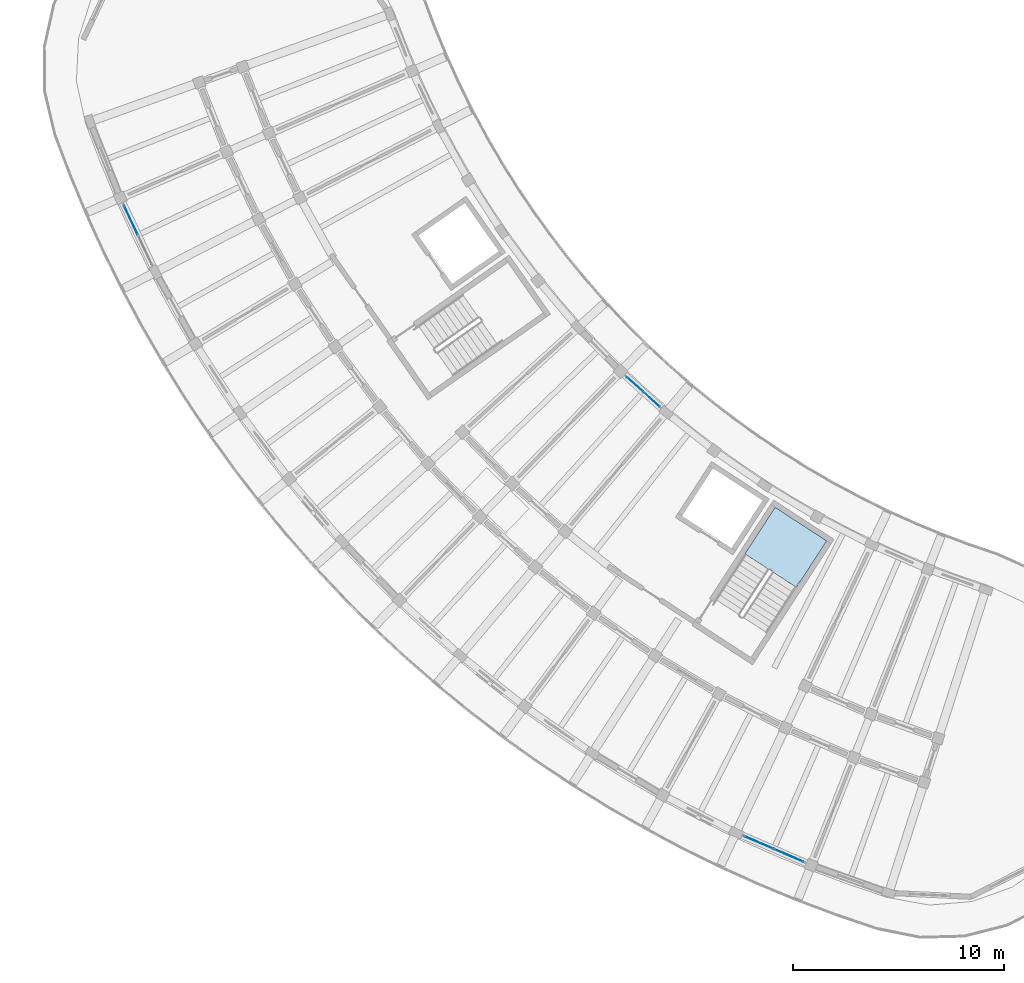
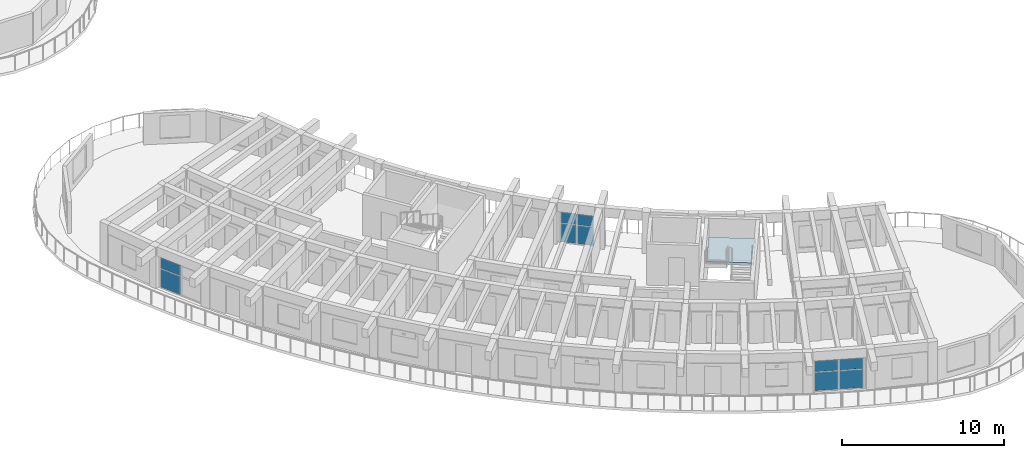
# One storey, part 33 of 83: 10 plates, 1 slab, 4 elements without a shape of their own.
"""IFC4 building model written with IfcOpenShell, lengths in metres."""

from ifc_helpers import new_model, si_unit, direction, frame, origin, origin_2d, place, context, subcontext, project, spatial, polyline, rectangle, outline, extrude, material, layer, layer_set, type_object, element, aggregate, save


model = new_model("IFC4")

# Units and contexts
model_context = context("Model", 3, precision=1e-05, world=origin(), true_north=direction((0.0, 1.0)))
body_context = subcontext(model_context, "Body", "Model", "MODEL_VIEW")
ifc_project = project(units=[si_unit("LENGTHUNIT", "METRE"), si_unit("AREAUNIT", "SQUARE_METRE"), si_unit("VOLUMEUNIT", "CUBIC_METRE"), si_unit("PLANEANGLEUNIT", "RADIAN"), si_unit("MASSUNIT", "GRAM", prefix="KILO")], contexts=[model_context])

# Site, building, storey
site_placement = place(None, origin())
site = spatial("IfcSite", under=ifc_project, at=site_placement, CompositionType="ELEMENT")
building_placement = place(site_placement, origin())
building = spatial("IfcBuilding", under=site, at=building_placement, Name="Tanwirah Colonnade Gardens", CompositionType="ELEMENT")
storey_placement = place(building_placement, frame((0.0, 0.0, 25.639892578125)))
storey = spatial("IfcBuildingStorey", under=building, at=storey_placement, Name="L07", CompositionType="ELEMENT", Elevation=25.639892578125)

# Curtain wall, plates
ifc_material_1 = material(Name="Bronze-anodised aluminium and solar-control low-E glass", Category="aluminium")
curtain_wall_type_1 = type_object("IfcCurtainWallType", Name="CW-LOB", PredefinedType="NOTDEFINED", material=ifc_material_1)
curtain_wall_1_placement = place(storey_placement, origin())
curtain_wall_1 = element("IfcCurtainWall", 1, at=curtain_wall_1_placement, inside=storey, type_object=curtain_wall_type_1, Name="Curtain Wall CW-C-L07-OUT-02", PredefinedType="NOTDEFINED")
ifc_material_2 = material(Name="Solar-control low-E double glazing", Category="glass")
ifc_layer_1 = layer(ifc_material_2, 0.028076171875)
ifc_layer_set_1 = layer_set([ifc_layer_1], Name="Solar-control low-E double glazing")
plate_type = type_object("IfcPlateType", Name="CWP-GLZ28", PredefinedType="CURTAIN_PANEL", material=ifc_layer_set_1)
plate_1_placement = place(storey_placement, frame((10.89013671875, 39.697998046875, 0.06005859375), z_axis=(0.0, 0.0, 1.0), x_axis=(0.428540128004, -0.903522749404, 0.0)))
plate_1 = element("IfcPlate", 2, at=plate_1_placement, type_object=plate_type, Name="CW-LOB panel 1.1", PredefinedType="CURTAIN_PANEL", context=body_context, shape_type="SweptSolid", body=[
    extrude(rectangle(XDim=1.49853515625, YDim=0.028076171875, at=origin_2d()), origin(), (0.0, 0.0, 1.0), 1.3701171875),
])
plate_2_placement = place(storey_placement, frame((10.89013671875, 39.697998046875, 1.490234375), z_axis=(0.0, 0.0, 1.0), x_axis=(0.428540128004, -0.903522749404, 0.0)))
plate_2 = element("IfcPlate", 3, at=plate_2_placement, type_object=plate_type, Name="CW-LOB panel 1.2", PredefinedType="CURTAIN_PANEL", context=body_context, shape_type="SweptSolid", body=[
    extrude(rectangle(XDim=1.49853515625, YDim=0.028076171875, at=origin_2d()), origin(), (0.0, 0.0, 1.0), 0.804931640625),
])
aggregate(curtain_wall_1, [plate_1, plate_2])

curtain_wall_type_2 = type_object("IfcCurtainWallType", Name="CW-GDN", PredefinedType="NOTDEFINED", material=ifc_material_1)
curtain_wall_2_placement = place(storey_placement, origin())
curtain_wall_2 = element("IfcCurtainWall", 4, at=curtain_wall_2_placement, inside=storey, type_object=curtain_wall_type_2, Name="Curtain Wall CW-C-L07-IN-08", PredefinedType="NOTDEFINED")
plate_3_placement = place(storey_placement, frame((34.806396484375, 31.90673828125, 0.06005859375), z_axis=(0.0, 0.0, 1.0), x_axis=(0.741682643058, -0.670750964954, 0.0)))
plate_3 = element("IfcPlate", 5, at=plate_3_placement, type_object=plate_type, Name="CW-GDN panel 1.1", PredefinedType="CURTAIN_PANEL", context=body_context, shape_type="SweptSolid", body=[
    extrude(rectangle(XDim=1.00439453125, YDim=0.028076171875, at=origin_2d()), origin(), (0.0, 0.0, 1.0), 1.3701171875),
])
plate_4_placement = place(storey_placement, frame((34.806396484375, 31.90673828125, 1.490234375), z_axis=(0.0, 0.0, 1.0), x_axis=(0.741682643058, -0.670750964954, 0.0)))
plate_4 = element("IfcPlate", 6, at=plate_4_placement, type_object=plate_type, Name="CW-GDN panel 1.2", PredefinedType="CURTAIN_PANEL", context=body_context, shape_type="SweptSolid", body=[
    extrude(rectangle(XDim=1.00439453125, YDim=0.028076171875, at=origin_2d()), origin(), (0.0, 0.0, 1.0), 0.804931640625),
])
plate_5_placement = place(storey_placement, frame((35.595703125, 31.19287109375, 0.06005859375), z_axis=(0.0, 0.0, 1.0), x_axis=(0.741682643058, -0.670750964954, 0.0)))
plate_5 = element("IfcPlate", 7, at=plate_5_placement, type_object=plate_type, Name="CW-GDN panel 2.1", PredefinedType="CURTAIN_PANEL", context=body_context, shape_type="SweptSolid", body=[
    extrude(rectangle(XDim=1.00439453125, YDim=0.028076171875, at=origin_2d()), origin(), (0.0, 0.0, 1.0), 1.3701171875),
])
plate_6_placement = place(storey_placement, frame((35.595703125, 31.19287109375, 1.490234375), z_axis=(0.0, 0.0, 1.0), x_axis=(0.741682643058, -0.670750964954, 0.0)))
plate_6 = element("IfcPlate", 8, at=plate_6_placement, type_object=plate_type, Name="CW-GDN panel 2.2", PredefinedType="CURTAIN_PANEL", context=body_context, shape_type="SweptSolid", body=[
    extrude(rectangle(XDim=1.00439453125, YDim=0.028076171875, at=origin_2d()), origin(), (0.0, 0.0, 1.0), 0.804931640625),
])
aggregate(curtain_wall_2, [plate_3, plate_4, plate_5, plate_6])

curtain_wall_3_placement = place(storey_placement, origin())
curtain_wall_3 = element("IfcCurtainWall", 9, at=curtain_wall_3_placement, inside=storey, type_object=curtain_wall_type_1, Name="Curtain Wall CW-C-L07-OUT-13", PredefinedType="NOTDEFINED")
plate_7_placement = place(storey_placement, frame((40.671142578125, 10.17578125, 0.06005859375), z_axis=(0.0, 0.0, 1.0), x_axis=(0.917927036036, -0.396749236313, 0.0)))
plate_7 = element("IfcPlate", 10, at=plate_7_placement, type_object=plate_type, Name="CW-LOB panel 1.1", PredefinedType="CURTAIN_PANEL", context=body_context, shape_type="SweptSolid", body=[
    extrude(rectangle(XDim=1.49853515625, YDim=0.028076171875, at=origin_2d()), origin(), (0.0, 0.0, 1.0), 1.3701171875),
])
plate_8_placement = place(storey_placement, frame((40.671142578125, 10.17578125, 1.490234375), z_axis=(0.0, 0.0, 1.0), x_axis=(0.917927036036, -0.396749236313, 0.0)))
plate_8 = element("IfcPlate", 11, at=plate_8_placement, type_object=plate_type, Name="CW-LOB panel 1.2", PredefinedType="CURTAIN_PANEL", context=body_context, shape_type="SweptSolid", body=[
    extrude(rectangle(XDim=1.49853515625, YDim=0.028076171875, at=origin_2d()), origin(), (0.0, 0.0, 1.0), 0.804931640625),
])
plate_9_placement = place(storey_placement, frame((42.1015625, 9.5576171875, 0.06005859375), z_axis=(0.0, 0.0, 1.0), x_axis=(0.917927036036, -0.396749236313, 0.0)))
plate_9 = element("IfcPlate", 12, at=plate_9_placement, type_object=plate_type, Name="CW-LOB panel 2.1", PredefinedType="CURTAIN_PANEL", context=body_context, shape_type="SweptSolid", body=[
    extrude(rectangle(XDim=1.49853515625, YDim=0.028076171875, at=origin_2d()), origin(), (0.0, 0.0, 1.0), 1.3701171875),
])
plate_10_placement = place(storey_placement, frame((42.1015625, 9.5576171875, 1.490234375), z_axis=(0.0, 0.0, 1.0), x_axis=(0.917927036036, -0.396749236313, 0.0)))
plate_10 = element("IfcPlate", 13, at=plate_10_placement, type_object=plate_type, Name="CW-LOB panel 2.2", PredefinedType="CURTAIN_PANEL", context=body_context, shape_type="SweptSolid", body=[
    extrude(rectangle(XDim=1.49853515625, YDim=0.028076171875, at=origin_2d()), origin(), (0.0, 0.0, 1.0), 0.804931640625),
])
aggregate(curtain_wall_3, [plate_7, plate_8, plate_9, plate_10])

# Stair, slab
ifc_material_3 = material(Name="Precast concrete C40/50", Category="concrete")
stair_type = type_object("IfcStairType", Name="ST-RES168", PredefinedType="HALF_TURN_STAIR", material=ifc_material_3)
stair_placement = place(storey_placement, origin())
stair = element("IfcStair", 14, at=stair_placement, inside=storey, type_object=stair_type, Name="L07 Block C Core 2 Exit Stair", PredefinedType="HALF_TURN_STAIR")
ifc_layer_2 = layer(ifc_material_3, 0.205078125)
ifc_layer_set_2 = layer_set([ifc_layer_2], Name="Precast concrete C40/50")
slab_type = type_object("IfcSlabType", Name="SL-LND-205", PredefinedType="LANDING", material=ifc_layer_set_2)
slab_placement = place(storey_placement, frame((0.0, 0.0, 1.47509765625)))
slab = element("IfcSlab", 15, at=slab_placement, type_object=slab_type, Name="ST-C2 landing 1", PredefinedType="LANDING", context=body_context, shape_type="SweptSolid", body=[
    extrude(outline(polyline([(42.467529296875, 22.27490234375), (43.902587890625, 24.48486328125), (41.45361328125, 26.0751953125), (40.0185546875, 23.865234375), (42.467529296875, 22.27490234375)])), origin(), (0.0, 0.0, 1.0), 0.205078125),
])
aggregate(stair, [slab])

save(model, "model.ifc")
